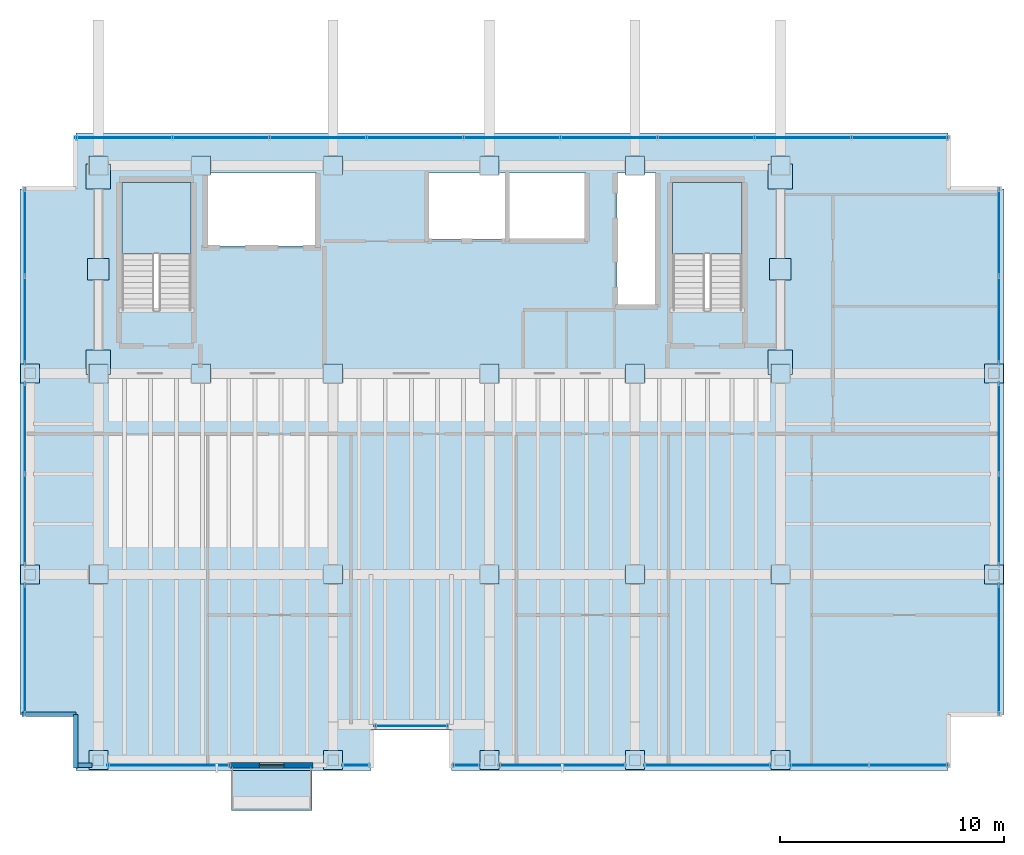
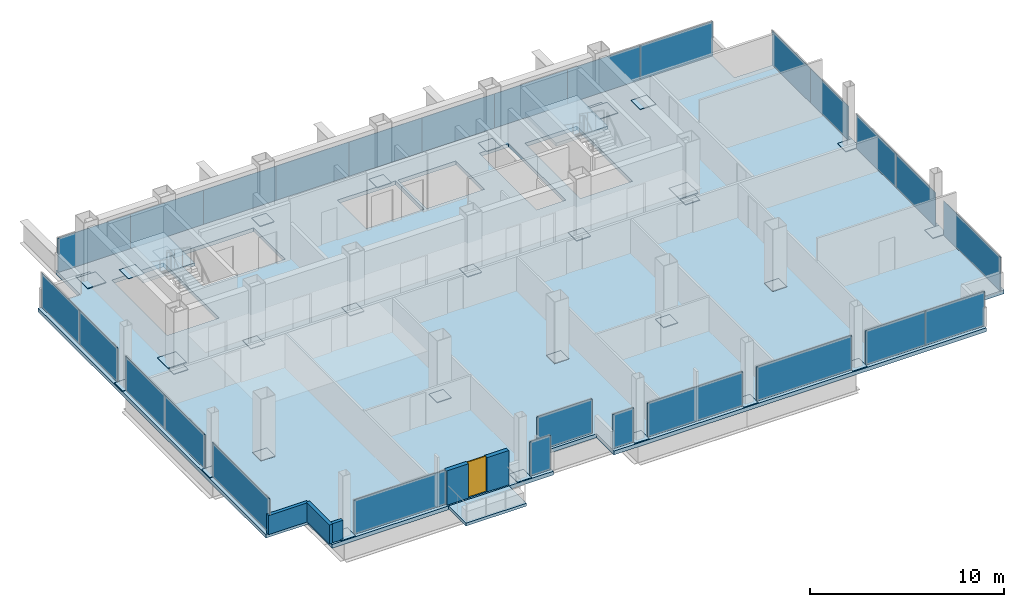
# One storey, part 14 of 17: 59 plates, 4 slabs, 4 walls, 1 door, 7 openings, 16 elements without a shape of their own.
"""IFC4 building model written with IfcOpenShell, lengths in metres."""

from ifc_helpers import new_model, si_unit, direction, frame, frame_2d, origin, origin_2d, place, context, subcontext, project, spatial, polyline, rectangle, outline, extrude, material, layer, layer_set, type_object, element, fill, aggregate, save


model = new_model("IFC4")

# Units and contexts
model_context = context("Model", 3, precision=1e-05, world=origin(), true_north=direction((0.0, 1.0)))
body_context = subcontext(model_context, "Body", "Model", "MODEL_VIEW")
ifc_project = project(units=[si_unit("LENGTHUNIT", "METRE"), si_unit("AREAUNIT", "SQUARE_METRE"), si_unit("VOLUMEUNIT", "CUBIC_METRE"), si_unit("PLANEANGLEUNIT", "RADIAN"), si_unit("MASSUNIT", "GRAM", prefix="KILO")], contexts=[model_context])

# Site, building, storey
site_placement = place(None, origin())
site = spatial("IfcSite", under=ifc_project, at=site_placement, CompositionType="ELEMENT")
building_placement = place(site_placement, origin())
building = spatial("IfcBuilding", under=site, at=building_placement, Name="Noeulbin Bourse Tower", CompositionType="ELEMENT")
storey_placement = place(building_placement, frame((0.0, 0.0, 196.800048828125)))
storey = spatial("IfcBuildingStorey", under=building, at=storey_placement, Name="L49", CompositionType="ELEMENT", Elevation=196.800048828125)

# Curtain wall, plate
ifc_material_1 = material(Name="Dark Tinted Triple Glazing", Category="glass")
curtain_wall_type = type_object("IfcCurtainWallType", Name="CW-SYS-3", PredefinedType="NOTDEFINED", material=ifc_material_1)
curtain_wall_1_placement = place(storey_placement, origin())
curtain_wall_1 = element("IfcCurtainWall", 1, at=curtain_wall_1_placement, inside=storey, type_object=curtain_wall_type, Name="Unitised Curtain Wall CW-L49-SREC", PredefinedType="NOTDEFINED")
ifc_layer_1 = layer(ifc_material_1, 0.035888671875)
ifc_layer_set_1 = layer_set([ifc_layer_1], Name="Dark Tinted Triple Glazing")
plate_type_1 = type_object("IfcPlateType", Name="CW-SYS-3-PNL", PredefinedType="CURTAIN_PANEL", material=ifc_layer_set_1)
plate_1_placement = place(storey_placement, frame((27.5, 13.22998046875, 0.0), z_axis=(0.0, 0.0, 1.0), x_axis=(1.0, 0.0, 0.0)))
plate_1 = element("IfcPlate", 2, at=plate_1_placement, type_object=plate_type_1, Name="Glazed Curtain Panel CW-L49-SREC-P00", PredefinedType="CURTAIN_PANEL", context=body_context, shape_type="SweptSolid", body=[
    extrude(rectangle(XDim=3.300048828125, YDim=0.035888671875, at=origin_2d()), origin(), (0.0, 0.0, 1.0), 2.159912109375),
])
aggregate(curtain_wall_1, [plate_1])

curtain_wall_2_placement = place(storey_placement, origin())
curtain_wall_2 = element("IfcCurtainWall", 3, at=curtain_wall_2_placement, inside=storey, type_object=curtain_wall_type, Name="Unitised Curtain Wall CW-L49-S1", PredefinedType="NOTDEFINED")
plate_2_placement = place(storey_placement, frame((16.655029296875, 11.469970703125, 0.0), z_axis=(0.0, 0.0, 1.0), x_axis=(1.0, 0.0, 0.0)))
plate_2 = element("IfcPlate", 4, at=plate_2_placement, type_object=plate_type_1, Name="Glazed Curtain Panel CW-L49-S1-P00", PredefinedType="CURTAIN_PANEL", context=body_context, shape_type="SweptSolid", body=[
    extrude(rectangle(XDim=5.489990234375, YDim=0.035888671875, at=origin_2d()), origin(), (0.0, 0.0, 1.0), 2.159912109375),
])
aggregate(curtain_wall_2, [plate_2])

curtain_wall_3_placement = place(storey_placement, origin())
curtain_wall_3 = element("IfcCurtainWall", 5, at=curtain_wall_3_placement, inside=storey, type_object=curtain_wall_type, Name="Unitised Curtain Wall CW-L49-S2", PredefinedType="NOTDEFINED")
plate_3_placement = place(storey_placement, frame((25.030029296875, 11.469970703125, 0.0), z_axis=(0.0, 0.0, 1.0), x_axis=(1.0, 0.0, 0.0)))
plate_3 = element("IfcPlate", 6, at=plate_3_placement, type_object=plate_type_1, Name="Glazed Curtain Panel CW-L49-S2-P00", PredefinedType="CURTAIN_PANEL", context=body_context, shape_type="SweptSolid", body=[
    extrude(rectangle(XDim=1.239990234375, YDim=0.035888671875, at=origin_2d()), origin(), (0.0, 0.0, 1.0), 2.159912109375),
])
aggregate(curtain_wall_3, [plate_3])

curtain_wall_4_placement = place(storey_placement, origin())
curtain_wall_4 = element("IfcCurtainWall", 7, at=curtain_wall_4_placement, inside=storey, type_object=curtain_wall_type, Name="Unitised Curtain Wall CW-L49-S3-S1", PredefinedType="NOTDEFINED")
plate_4_placement = place(storey_placement, frame((29.969970703125, 11.469970703125, 0.0), z_axis=(0.0, 0.0, 1.0), x_axis=(1.0, 0.0, 0.0)))
plate_4 = element("IfcPlate", 8, at=plate_4_placement, type_object=plate_type_1, Name="Glazed Curtain Panel CW-L49-S3-S1-P00", PredefinedType="CURTAIN_PANEL", context=body_context, shape_type="SweptSolid", body=[
    extrude(rectangle(XDim=1.239990234375, YDim=0.035888671875, at=origin_2d()), origin(), (0.0, 0.0, 1.0), 2.159912109375),
])
aggregate(curtain_wall_4, [plate_4])

curtain_wall_5_placement = place(storey_placement, origin())
curtain_wall_5 = element("IfcCurtainWall", 9, at=curtain_wall_5_placement, inside=storey, type_object=curtain_wall_type, Name="Unitised Curtain Wall CW-L49-S3-S2", PredefinedType="NOTDEFINED")
plate_5_placement = place(storey_placement, frame((34.25, 11.469970703125, 0.0), z_axis=(0.0, 0.0, 1.0), x_axis=(1.0, 0.0, 0.0)))
plate_5 = element("IfcPlate", 10, at=plate_5_placement, type_object=plate_type_1, Name="Glazed Curtain Panel CW-L49-S3-S2-P00", PredefinedType="CURTAIN_PANEL", context=body_context, shape_type="SweptSolid", body=[
    extrude(rectangle(XDim=5.679931640625, YDim=0.035888671875, at=origin_2d()), origin(), (0.0, 0.0, 1.0), 2.159912109375),
])
aggregate(curtain_wall_5, [plate_5])

curtain_wall_6_placement = place(storey_placement, origin())
curtain_wall_6 = element("IfcCurtainWall", 11, at=curtain_wall_6_placement, inside=storey, type_object=curtain_wall_type, Name="Unitised Curtain Wall CW-L49-S3-S3", PredefinedType="NOTDEFINED")
plate_6_placement = place(storey_placement, frame((40.75, 11.469970703125, 0.0), z_axis=(0.0, 0.0, 1.0), x_axis=(1.0, 0.0, 0.0)))
plate_6 = element("IfcPlate", 12, at=plate_6_placement, type_object=plate_type_1, Name="Glazed Curtain Panel CW-L49-S3-S3-P00", PredefinedType="CURTAIN_PANEL", context=body_context, shape_type="SweptSolid", body=[
    extrude(rectangle(XDim=5.679931640625, YDim=0.035888671875, at=origin_2d()), origin(), (0.0, 0.0, 1.0), 2.159912109375),
])
aggregate(curtain_wall_6, [plate_6])

# Curtain wall, plates
curtain_wall_7_placement = place(storey_placement, origin())
curtain_wall_7 = element("IfcCurtainWall", 13, at=curtain_wall_7_placement, inside=storey, type_object=curtain_wall_type, Name="Unitised Curtain Wall CW-L49-S3-S4", PredefinedType="NOTDEFINED")
plate_7_placement = place(storey_placement, frame((46.1875, 11.469970703125, 0.0), z_axis=(0.0, 0.0, 1.0), x_axis=(1.0, 0.0, 0.0)))
plate_7 = element("IfcPlate", 14, at=plate_7_placement, type_object=plate_type_1, Name="Glazed Curtain Panel CW-L49-S3-S4-P00", PredefinedType="CURTAIN_PANEL", context=body_context, shape_type="SweptSolid", body=[
    extrude(rectangle(XDim=3.554931640625, YDim=0.035888671875, at=origin_2d()), origin(), (0.0, 0.0, 1.0), 2.159912109375),
])
plate_8_placement = place(storey_placement, frame((49.742431640625, 11.469970703125, 0.0), z_axis=(0.0, 0.0, 1.0), x_axis=(1.0, 0.0, 0.0)))
plate_8 = element("IfcPlate", 15, at=plate_8_placement, type_object=plate_type_1, Name="Glazed Curtain Panel CW-L49-S3-S4-P01", PredefinedType="CURTAIN_PANEL", context=body_context, shape_type="SweptSolid", body=[
    extrude(rectangle(XDim=3.554931640625, YDim=0.035888671875, at=origin_2d()), origin(), (0.0, 0.0, 1.0), 2.159912109375),
])
aggregate(curtain_wall_7, [plate_7, plate_8])

curtain_wall_8_placement = place(storey_placement, origin())
curtain_wall_8 = element("IfcCurtainWall", 16, at=curtain_wall_8_placement, inside=storey, type_object=curtain_wall_type, Name="Unitised Curtain Wall CW-L49-N", PredefinedType="NOTDEFINED")
plate_9_placement = place(storey_placement, frame((14.64892578125, 39.530029296875, 0.0), z_axis=(0.0, 0.0, 1.0), x_axis=(1.0, 0.0, 0.0)))
plate_9 = element("IfcPlate", 17, at=plate_9_placement, type_object=plate_type_1, Name="Glazed Curtain Panel CW-L49-N-P00", PredefinedType="CURTAIN_PANEL", context=body_context, shape_type="SweptSolid", body=[
    extrude(rectangle(XDim=4.337890625, YDim=0.035888671875, at=origin_2d()), origin(), (0.0, 0.0, 1.0), 2.159912109375),
])
plate_10_placement = place(storey_placement, frame((18.98681640625, 39.530029296875, 0.0), z_axis=(0.0, 0.0, 1.0), x_axis=(1.0, 0.0, 0.0)))
plate_10 = element("IfcPlate", 18, at=plate_10_placement, type_object=plate_type_1, Name="Glazed Curtain Panel CW-L49-N-P01", PredefinedType="CURTAIN_PANEL", context=body_context, shape_type="SweptSolid", body=[
    extrude(rectangle(XDim=4.337890625, YDim=0.035888671875, at=origin_2d()), origin(), (0.0, 0.0, 1.0), 2.159912109375),
])
plate_11_placement = place(storey_placement, frame((23.324462890625, 39.530029296875, 0.0), z_axis=(0.0, 0.0, 1.0), x_axis=(1.0, 0.0, 0.0)))
plate_11 = element("IfcPlate", 19, at=plate_11_placement, type_object=plate_type_1, Name="Glazed Curtain Panel CW-L49-N-P02", PredefinedType="CURTAIN_PANEL", context=body_context, shape_type="SweptSolid", body=[
    extrude(rectangle(XDim=4.337890625, YDim=0.035888671875, at=origin_2d()), origin(), (0.0, 0.0, 1.0), 2.159912109375),
])
plate_12_placement = place(storey_placement, frame((27.662109375, 39.530029296875, 0.0), z_axis=(0.0, 0.0, 1.0), x_axis=(1.0, 0.0, 0.0)))
plate_12 = element("IfcPlate", 20, at=plate_12_placement, type_object=plate_type_1, Name="Glazed Curtain Panel CW-L49-N-P03", PredefinedType="CURTAIN_PANEL", context=body_context, shape_type="SweptSolid", body=[
    extrude(rectangle(XDim=4.337890625, YDim=0.035888671875, at=origin_2d()), origin(), (0.0, 0.0, 1.0), 2.159912109375),
])
plate_13_placement = place(storey_placement, frame((32.0, 39.530029296875, 0.0), z_axis=(0.0, 0.0, 1.0), x_axis=(1.0, 0.0, 0.0)))
plate_13 = element("IfcPlate", 21, at=plate_13_placement, type_object=plate_type_1, Name="Glazed Curtain Panel CW-L49-N-P04", PredefinedType="CURTAIN_PANEL", context=body_context, shape_type="SweptSolid", body=[
    extrude(rectangle(XDim=4.337890625, YDim=0.035888671875, at=origin_2d()), origin(), (0.0, 0.0, 1.0), 2.159912109375),
])
plate_14_placement = place(storey_placement, frame((36.337890625, 39.530029296875, 0.0), z_axis=(0.0, 0.0, 1.0), x_axis=(1.0, 0.0, 0.0)))
plate_14 = element("IfcPlate", 22, at=plate_14_placement, type_object=plate_type_1, Name="Glazed Curtain Panel CW-L49-N-P05", PredefinedType="CURTAIN_PANEL", context=body_context, shape_type="SweptSolid", body=[
    extrude(rectangle(XDim=4.337890625, YDim=0.035888671875, at=origin_2d()), origin(), (0.0, 0.0, 1.0), 2.159912109375),
])
plate_15_placement = place(storey_placement, frame((40.675537109375, 39.530029296875, 0.0), z_axis=(0.0, 0.0, 1.0), x_axis=(1.0, 0.0, 0.0)))
plate_15 = element("IfcPlate", 23, at=plate_15_placement, type_object=plate_type_1, Name="Glazed Curtain Panel CW-L49-N-P06", PredefinedType="CURTAIN_PANEL", context=body_context, shape_type="SweptSolid", body=[
    extrude(rectangle(XDim=4.337890625, YDim=0.035888671875, at=origin_2d()), origin(), (0.0, 0.0, 1.0), 2.159912109375),
])
plate_16_placement = place(storey_placement, frame((45.01318359375, 39.530029296875, 0.0), z_axis=(0.0, 0.0, 1.0), x_axis=(1.0, 0.0, 0.0)))
plate_16 = element("IfcPlate", 24, at=plate_16_placement, type_object=plate_type_1, Name="Glazed Curtain Panel CW-L49-N-P07", PredefinedType="CURTAIN_PANEL", context=body_context, shape_type="SweptSolid", body=[
    extrude(rectangle(XDim=4.337890625, YDim=0.035888671875, at=origin_2d()), origin(), (0.0, 0.0, 1.0), 2.159912109375),
])
plate_17_placement = place(storey_placement, frame((49.35107421875, 39.530029296875, 0.0), z_axis=(0.0, 0.0, 1.0), x_axis=(1.0, 0.0, 0.0)))
plate_17 = element("IfcPlate", 25, at=plate_17_placement, type_object=plate_type_1, Name="Glazed Curtain Panel CW-L49-N-P08", PredefinedType="CURTAIN_PANEL", context=body_context, shape_type="SweptSolid", body=[
    extrude(rectangle(XDim=4.337890625, YDim=0.035888671875, at=origin_2d()), origin(), (0.0, 0.0, 1.0), 2.159912109375),
])
aggregate(curtain_wall_8, [plate_9, plate_10, plate_11, plate_12, plate_13, plate_14, plate_15, plate_16, plate_17])

# Curtain wall, plate
curtain_wall_9_placement = place(storey_placement, origin())
curtain_wall_9 = element("IfcCurtainWall", 26, at=curtain_wall_9_placement, inside=storey, type_object=curtain_wall_type, Name="Unitised Curtain Wall CW-L49-W-S1", PredefinedType="NOTDEFINED")
plate_18_placement = place(storey_placement, frame((10.219970703125, 16.659912109375, 0.0), z_axis=(0.0, 0.0, 1.0), x_axis=(0.0, 1.0, 0.0)))
plate_18 = element("IfcPlate", 27, at=plate_18_placement, type_object=plate_type_1, Name="Glazed Curtain Panel CW-L49-W-S1-P00", PredefinedType="CURTAIN_PANEL", context=body_context, shape_type="SweptSolid", body=[
    extrude(rectangle(XDim=5.860107421875, YDim=0.035888671875, at=origin_2d()), origin(), (0.0, 0.0, 1.0), 2.159912109375),
])
aggregate(curtain_wall_9, [plate_18])

# Curtain wall, plates
curtain_wall_10_placement = place(storey_placement, origin())
curtain_wall_10 = element("IfcCurtainWall", 28, at=curtain_wall_10_placement, inside=storey, type_object=curtain_wall_type, Name="Unitised Curtain Wall CW-L49-W-S2", PredefinedType="NOTDEFINED")
plate_19_placement = place(storey_placement, frame((10.219970703125, 22.455078125, 0.0), z_axis=(0.0, 0.0, 1.0), x_axis=(0.0, 1.0, 0.0)))
plate_19 = element("IfcPlate", 29, at=plate_19_placement, type_object=plate_type_1, Name="Glazed Curtain Panel CW-L49-W-S2-P00", PredefinedType="CURTAIN_PANEL", context=body_context, shape_type="SweptSolid", body=[
    extrude(rectangle(XDim=4.090087890625, YDim=0.035888671875, at=origin_2d()), origin(), (0.0, 0.0, 1.0), 2.159912109375),
])
plate_20_placement = place(storey_placement, frame((10.219970703125, 26.544921875, 0.0), z_axis=(0.0, 0.0, 1.0), x_axis=(0.0, 1.0, 0.0)))
plate_20 = element("IfcPlate", 30, at=plate_20_placement, type_object=plate_type_1, Name="Glazed Curtain Panel CW-L49-W-S2-P01", PredefinedType="CURTAIN_PANEL", context=body_context, shape_type="SweptSolid", body=[
    extrude(rectangle(XDim=4.090087890625, YDim=0.035888671875, at=origin_2d()), origin(), (0.0, 0.0, 1.0), 2.159912109375),
])
aggregate(curtain_wall_10, [plate_19, plate_20])

curtain_wall_11_placement = place(storey_placement, origin())
curtain_wall_11 = element("IfcCurtainWall", 31, at=curtain_wall_11_placement, inside=storey, type_object=curtain_wall_type, Name="Unitised Curtain Wall CW-L49-W-S3", PredefinedType="NOTDEFINED")
plate_21_placement = place(storey_placement, frame((10.219970703125, 31.375, 0.0), z_axis=(0.0, 0.0, 1.0), x_axis=(0.0, 1.0, 0.0)))
plate_21 = element("IfcPlate", 32, at=plate_21_placement, type_object=plate_type_1, Name="Glazed Curtain Panel CW-L49-W-S3-P00", PredefinedType="CURTAIN_PANEL", context=body_context, shape_type="SweptSolid", body=[
    extrude(rectangle(XDim=3.929931640625, YDim=0.035888671875, at=origin_2d()), origin(), (0.0, 0.0, 1.0), 2.159912109375),
])
plate_22_placement = place(storey_placement, frame((10.219970703125, 35.304931640625, 0.0), z_axis=(0.0, 0.0, 1.0), x_axis=(0.0, 1.0, 0.0)))
plate_22 = element("IfcPlate", 33, at=plate_22_placement, type_object=plate_type_1, Name="Glazed Curtain Panel CW-L49-W-S3-P01", PredefinedType="CURTAIN_PANEL", context=body_context, shape_type="SweptSolid", body=[
    extrude(rectangle(XDim=3.929931640625, YDim=0.035888671875, at=origin_2d()), origin(), (0.0, 0.0, 1.0), 2.159912109375),
])
aggregate(curtain_wall_11, [plate_21, plate_22])

# Curtain wall, plate
curtain_wall_12_placement = place(storey_placement, origin())
curtain_wall_12 = element("IfcCurtainWall", 34, at=curtain_wall_12_placement, inside=storey, type_object=curtain_wall_type, Name="Unitised Curtain Wall CW-L49-E-S1", PredefinedType="NOTDEFINED")
plate_23_placement = place(storey_placement, frame((53.780029296875, 16.659912109375, 0.0), z_axis=(0.0, 0.0, 1.0), x_axis=(0.0, 1.0, 0.0)))
plate_23 = element("IfcPlate", 35, at=plate_23_placement, type_object=plate_type_1, Name="Glazed Curtain Panel CW-L49-E-S1-P00", PredefinedType="CURTAIN_PANEL", context=body_context, shape_type="SweptSolid", body=[
    extrude(rectangle(XDim=5.860107421875, YDim=0.035888671875, at=origin_2d()), origin(), (0.0, 0.0, 1.0), 2.159912109375),
])
aggregate(curtain_wall_12, [plate_23])

# Curtain wall, plates
curtain_wall_13_placement = place(storey_placement, origin())
curtain_wall_13 = element("IfcCurtainWall", 36, at=curtain_wall_13_placement, inside=storey, type_object=curtain_wall_type, Name="Unitised Curtain Wall CW-L49-E-S2", PredefinedType="NOTDEFINED")
plate_24_placement = place(storey_placement, frame((53.780029296875, 22.455078125, 0.0), z_axis=(0.0, 0.0, 1.0), x_axis=(0.0, 1.0, 0.0)))
plate_24 = element("IfcPlate", 37, at=plate_24_placement, type_object=plate_type_1, Name="Glazed Curtain Panel CW-L49-E-S2-P00", PredefinedType="CURTAIN_PANEL", context=body_context, shape_type="SweptSolid", body=[
    extrude(rectangle(XDim=4.090087890625, YDim=0.035888671875, at=origin_2d()), origin(), (0.0, 0.0, 1.0), 2.159912109375),
])
plate_25_placement = place(storey_placement, frame((53.780029296875, 26.544921875, 0.0), z_axis=(0.0, 0.0, 1.0), x_axis=(0.0, 1.0, 0.0)))
plate_25 = element("IfcPlate", 38, at=plate_25_placement, type_object=plate_type_1, Name="Glazed Curtain Panel CW-L49-E-S2-P01", PredefinedType="CURTAIN_PANEL", context=body_context, shape_type="SweptSolid", body=[
    extrude(rectangle(XDim=4.090087890625, YDim=0.035888671875, at=origin_2d()), origin(), (0.0, 0.0, 1.0), 2.159912109375),
])
aggregate(curtain_wall_13, [plate_24, plate_25])

curtain_wall_14_placement = place(storey_placement, origin())
curtain_wall_14 = element("IfcCurtainWall", 39, at=curtain_wall_14_placement, inside=storey, type_object=curtain_wall_type, Name="Unitised Curtain Wall CW-L49-E-S3", PredefinedType="NOTDEFINED")
plate_26_placement = place(storey_placement, frame((53.780029296875, 31.375, 0.0), z_axis=(0.0, 0.0, 1.0), x_axis=(0.0, 1.0, 0.0)))
plate_26 = element("IfcPlate", 40, at=plate_26_placement, type_object=plate_type_1, Name="Glazed Curtain Panel CW-L49-E-S3-P00", PredefinedType="CURTAIN_PANEL", context=body_context, shape_type="SweptSolid", body=[
    extrude(rectangle(XDim=3.929931640625, YDim=0.035888671875, at=origin_2d()), origin(), (0.0, 0.0, 1.0), 2.159912109375),
])
plate_27_placement = place(storey_placement, frame((53.780029296875, 35.304931640625, 0.0), z_axis=(0.0, 0.0, 1.0), x_axis=(0.0, 1.0, 0.0)))
plate_27 = element("IfcPlate", 41, at=plate_27_placement, type_object=plate_type_1, Name="Glazed Curtain Panel CW-L49-E-S3-P01", PredefinedType="CURTAIN_PANEL", context=body_context, shape_type="SweptSolid", body=[
    extrude(rectangle(XDim=3.929931640625, YDim=0.035888671875, at=origin_2d()), origin(), (0.0, 0.0, 1.0), 2.159912109375),
])
aggregate(curtain_wall_14, [plate_26, plate_27])

# Plates
ifc_material_2 = material(Name="Steel S355", Category="steel")
ifc_layer_2 = layer(ifc_material_2, 0.030029296875)
ifc_layer_set_2 = layer_set([ifc_layer_2], Name="Steel S355")
plate_type_2 = type_object("IfcPlateType", Name="PLT-BN1", PredefinedType="USERDEFINED", material=ifc_layer_set_2)
for number, where, z_axis, x_axis, name in (
    (42, (13.5, 29.0, 0.0048828125), (0.0, 0.0, 1.0), (1.0, 0.0, 0.0), "Mega-Column Splice Plate BN1-L49-01"),
    (43, (13.5, 38.300048828125, 0.0048828125), (0.0, 0.0, 1.0), (1.0, 0.0, 0.0), "Mega-Column Splice Plate BN1-L49-02"),
    (44, (18.10009765625, 29.0, 0.0048828125), (0.0, 0.0, 1.0), (1.0, 0.0, 0.0), "Mega-Column Splice Plate BN1-L49-03"),
    (45, (18.10009765625, 38.300048828125, 0.0048828125), (0.0, 0.0, 1.0), (1.0, 0.0, 0.0), "Mega-Column Splice Plate BN1-L49-04"),
    (46, (24.0, 29.0, 0.0048828125), (0.0, 0.0, 1.0), (1.0, 0.0, 0.0), "Mega-Column Splice Plate BN1-L49-05"),
    (47, (24.0, 38.300048828125, 0.0048828125), (0.0, 0.0, 1.0), (1.0, 0.0, 0.0), "Mega-Column Splice Plate BN1-L49-06"),
    (48, (31.0, 29.0, 0.0048828125), (0.0, 0.0, 1.0), (1.0, 0.0, 0.0), "Mega-Column Splice Plate BN1-L49-07"),
    (49, (31.0, 38.300048828125, 0.0048828125), (0.0, 0.0, 1.0), (1.0, 0.0, 0.0), "Mega-Column Splice Plate BN1-L49-08"),
    (50, (37.5, 29.0, 0.0048828125), (0.0, 0.0, 1.0), (1.0, 0.0, 0.0), "Mega-Column Splice Plate BN1-L49-09"),
    (51, (37.5, 38.300048828125, 0.0048828125), (0.0, 0.0, 1.0), (1.0, 0.0, 0.0), "Mega-Column Splice Plate BN1-L49-10"),
    (52, (44.0, 29.0, 0.0048828125), (0.0, 0.0, 1.0), (1.0, 0.0, 0.0), "Mega-Column Splice Plate BN1-L49-11"),
    (53, (44.0, 38.300048828125, 0.0048828125), (0.0, 0.0, 1.0), (1.0, 0.0, 0.0), "Mega-Column Splice Plate BN1-L49-12"),
    (54, (13.5, 20.0, 0.0048828125), (0.0, 0.0, 1.0), (1.0, 0.0, 0.0), "Mega-Column Splice Plate BN1-L49-13"),
    (55, (24.0, 20.0, 0.0048828125), (0.0, 0.0, 1.0), (1.0, 0.0, 0.0), "Mega-Column Splice Plate BN1-L49-14"),
    (56, (31.0, 20.0, 0.0048828125), (0.0, 0.0, 1.0), (1.0, 0.0, 0.0), "Mega-Column Splice Plate BN1-L49-15"),
    (57, (37.5, 20.0, 0.0048828125), (0.0, 0.0, 1.0), (1.0, 0.0, 0.0), "Mega-Column Splice Plate BN1-L49-16"),
    (58, (44.0, 20.0, 0.0048828125), (0.0, 0.0, 1.0), (1.0, 0.0, 0.0), "Mega-Column Splice Plate BN1-L49-17"),
    (59, (10.449951171875, 20.0, 0.0048828125), (0.0, 0.0, 1.0), (1.0, 0.0, 0.0), "Perimeter Column Splice Plate BN1-L49-01"),
    (60, (10.449951171875, 29.0, 0.0048828125), (0.0, 0.0, 1.0), (1.0, 0.0, 0.0), "Perimeter Column Splice Plate BN1-L49-02"),
    (61, (13.5, 11.699951171875, 0.0048828125), (0.0, 0.0, 1.0), (1.0, 0.0, 0.0), "Perimeter Column Splice Plate BN1-L49-03"),
    (62, (24.0, 11.699951171875, 0.0048828125), (0.0, 0.0, 1.0), (1.0, 0.0, 0.0), "Perimeter Column Splice Plate BN1-L49-04"),
    (63, (31.0, 11.699951171875, 0.0048828125), (0.0, 0.0, 1.0), (1.0, 0.0, 0.0), "Perimeter Column Splice Plate BN1-L49-05"),
    (64, (37.5, 11.699951171875, 0.0048828125), (0.0, 0.0, 1.0), (1.0, 0.0, 0.0), "Perimeter Column Splice Plate BN1-L49-06"),
    (65, (44.0, 11.699951171875, 0.0048828125), (0.0, 0.0, 1.0), (1.0, 0.0, 0.0), "Perimeter Column Splice Plate BN1-L49-07"),
    (66, (53.550048828125, 20.0, 0.0048828125), (0.0, 0.0, 1.0), (1.0, 0.0, 0.0), "Perimeter Column Splice Plate BN1-L49-08"),
    (67, (53.550048828125, 29.0, 0.0048828125), (0.0, 0.0, 1.0), (1.0, 0.0, 0.0), "Perimeter Column Splice Plate BN1-L49-09"),
):
    element("IfcPlate", number, at=place(storey_placement, frame(where, z_axis=z_axis, x_axis=x_axis)), inside=storey, type_object=plate_type_2, Name=name, ObjectType="SPLICE PLATE", PredefinedType="USERDEFINED", context=body_context, shape_type="SweptSolid", body=[
        extrude(rectangle(XDim=0.85009765625, YDim=0.85009765625, at=origin_2d()), origin(), (0.0, 0.0, 1.0), 0.030029296875),
    ])
ifc_material_3 = material(Name="Steel S460", Category="steel")
ifc_layer_3 = layer(ifc_material_3, 0.035888671875)
ifc_layer_set_3 = layer_set([ifc_layer_3], Name="Steel S460")
plate_type_3 = type_object("IfcPlateType", Name="PLT-KN2", PredefinedType="USERDEFINED", material=ifc_layer_set_3)
for number, where, z_axis, x_axis, name in (
    (68, (13.5, 29.5, 0.18212890625), (0.0, 0.0, 1.0), (1.0, 0.0, 0.0), "Core Flank Brace South Gusset Plate KN2-L49-WA"),
    (69, (13.5, 37.800048828125, 0.18212890625), (0.0, 0.0, 1.0), (1.0, 0.0, 0.0), "Core Flank Brace North Gusset Plate KN2-L49-WB"),
    (70, (44.0, 29.5, 0.18212890625), (0.0, 0.0, 1.0), (1.0, 0.0, 0.0), "Core Flank Brace South Gusset Plate KN2-L49-EA"),
    (71, (44.0, 37.800048828125, 0.18212890625), (0.0, 0.0, 1.0), (1.0, 0.0, 0.0), "Core Flank Brace North Gusset Plate KN2-L49-EB"),
):
    element("IfcPlate", number, at=place(storey_placement, frame(where, z_axis=z_axis, x_axis=x_axis)), inside=storey, type_object=plate_type_3, Name=name, ObjectType="GUSSET PLATE", PredefinedType="USERDEFINED", context=body_context, shape_type="SweptSolid", body=[
        extrude(rectangle(XDim=1.10009765625, YDim=1.10009765625, at=origin_2d()), origin(), (0.0, 0.0, 1.0), 0.035888671875),
    ])
ifc_layer_4 = layer(ifc_material_2, 0.031982421875)
ifc_layer_set_4 = layer_set([ifc_layer_4], Name="Steel S355")
plate_type_4 = type_object("IfcPlateType", Name="PLT-KN3", PredefinedType="USERDEFINED", material=ifc_layer_set_4)
for number, where, z_axis, x_axis, name in (
    (72, (13.5, 33.64990234375, 3.23388671875), (0.0, 0.0, 1.0), (1.0, 0.0, 0.0), "Core Flank Brace Apex End Plate KN3-L49-W"),
    (73, (44.0, 33.64990234375, 3.23388671875), (0.0, 0.0, 1.0), (1.0, 0.0, 0.0), "Core Flank Brace Apex End Plate KN3-L49-E"),
):
    element("IfcPlate", number, at=place(storey_placement, frame(where, z_axis=z_axis, x_axis=x_axis)), inside=storey, type_object=plate_type_4, Name=name, ObjectType="END PLATE", PredefinedType="USERDEFINED", context=body_context, shape_type="SweptSolid", body=[
        extrude(rectangle(XDim=0.949951171875, YDim=0.949951171875, at=origin_2d()), origin(), (0.0, 0.0, 1.0), 0.031982421875),
    ])

# Stair, slab
ifc_material_4 = material(Name="Concrete C40/50", Category="concrete")
stair_type = type_object("IfcStairType", Name="STR-CORE-1560", PredefinedType="HALF_TURN_STAIR", material=ifc_material_4)
stair_1_placement = place(storey_placement, origin())
stair_1 = element("IfcStair", 74, at=stair_1_placement, inside=storey, type_object=stair_type, Name="L49 ST-1", PredefinedType="HALF_TURN_STAIR")
ifc_layer_5 = layer(ifc_material_4, 0.199951171875)
ifc_layer_set_5 = layer_set([ifc_layer_5], Name="Concrete C40/50")
slab_type_1 = type_object("IfcSlabType", Name="SLB-LND-200", PredefinedType="LANDING", material=ifc_layer_set_5)
slab_1_placement = place(storey_placement, frame((0.0, 0.0, 1.75)))
slab_1 = element("IfcSlab", 75, at=slab_1_placement, type_object=slab_type_1, Name="ST-1 landing 1", PredefinedType="LANDING", context=body_context, shape_type="SweptSolid", body=[
    extrude(outline(polyline([(17.64990234375, 34.330078125), (17.64990234375, 37.5439453125), (14.550048828125, 37.5439453125), (14.550048828125, 34.330078125), (17.64990234375, 34.330078125)])), origin(), (0.0, 0.0, 1.0), 0.199951171875),
])
aggregate(stair_1, [slab_1])

stair_2_placement = place(storey_placement, origin())
stair_2 = element("IfcStair", 76, at=stair_2_placement, inside=storey, type_object=stair_type, Name="L49 ST-2", PredefinedType="HALF_TURN_STAIR")
slab_2_placement = place(storey_placement, frame((0.0, 0.0, 1.75)))
slab_2 = element("IfcSlab", 77, at=slab_2_placement, type_object=slab_type_1, Name="ST-2 landing 1", PredefinedType="LANDING", context=body_context, shape_type="SweptSolid", body=[
    extrude(outline(polyline([(42.280029296875, 34.330078125), (42.280029296875, 37.5439453125), (39.179931640625, 37.5439453125), (39.179931640625, 34.330078125), (42.280029296875, 34.330078125)])), origin(), (0.0, 0.0, 1.0), 0.199951171875),
])
aggregate(stair_2, [slab_2])

# Slab, openings
ifc_layer_6 = layer(ifc_material_4, 0.239990234375)
ifc_layer_set_6 = layer_set([ifc_layer_6], Name="Concrete C40/50")
slab_type_2 = type_object("IfcSlabType", Name="SLB-TRF-240", PredefinedType="FLOOR", material=ifc_layer_set_6)
slab_3_placement = place(storey_placement, frame((0.0, 0.0, -0.239990234375)))
slab_3 = element("IfcSlab", 78, at=slab_3_placement, inside=storey, type_object=slab_type_2, Name="Tower Structural Floor Slab L49", PredefinedType="FLOOR", context=body_context, shape_type="SweptSolid", body=[
    extrude(outline(polyline([(12.5, 11.25), (25.699951171875, 11.25), (25.699951171875, 13.050048828125), (29.300048828125, 13.050048828125), (29.300048828125, 11.25), (51.5, 11.25), (51.5, 13.75), (54.0, 13.75), (54.0, 37.25), (51.5, 37.25), (51.5, 39.75), (12.5, 39.75), (12.5, 37.25), (10.0, 37.25), (10.0, 13.75), (12.5, 13.75), (12.5, 11.25)]), holes=[polyline([(17.64990234375, 31.81005859375), (17.64990234375, 37.5439453125), (14.550048828125, 37.5439453125), (14.550048828125, 31.81005859375), (17.64990234375, 31.81005859375)]), polyline([(42.280029296875, 31.81005859375), (42.280029296875, 37.5439453125), (39.179931640625, 37.5439453125), (39.179931640625, 31.81005859375), (42.280029296875, 31.81005859375)]), polyline([(18.35009765625, 34.699951171875), (23.25, 34.699951171875), (23.25, 37.949951171875), (18.35009765625, 37.949951171875), (18.35009765625, 34.699951171875)]), polyline([(36.699951171875, 32.050048828125), (38.449951171875, 32.050048828125), (38.449951171875, 37.949951171875), (36.699951171875, 37.949951171875), (36.699951171875, 32.050048828125)]), polyline([(28.25, 35.0), (31.699951171875, 35.0), (31.699951171875, 37.949951171875), (28.25, 37.949951171875), (28.25, 35.0)]), polyline([(31.85009765625, 35.0), (35.300048828125, 35.0), (35.300048828125, 37.949951171875), (31.85009765625, 37.949951171875), (31.85009765625, 35.0)])]), origin(), (0.0, 0.0, 1.0), 0.239990234375),
])
opening_1_placement = place(slab_3_placement, frame((0.0, 0.0, -0.010009765625)))
element("IfcOpeningElement", 79, at=opening_1_placement, cuts=slab_3, Name="Slab Shaft Opening SLB-L49-TWR-1", PredefinedType="OPENING", context=body_context, shape_type="SweptSolid", body=[
    extrude(outline(polyline([(17.64990234375, 31.81005859375), (17.64990234375, 37.5439453125), (14.550048828125, 37.5439453125), (14.550048828125, 31.81005859375), (17.64990234375, 31.81005859375)])), origin(), (0.0, 0.0, 1.0), 0.260009765625),
])
opening_2_placement = place(slab_3_placement, frame((0.0, 0.0, -0.010009765625)))
element("IfcOpeningElement", 80, at=opening_2_placement, cuts=slab_3, Name="Slab Shaft Opening SLB-L49-TWR-2", PredefinedType="OPENING", context=body_context, shape_type="SweptSolid", body=[
    extrude(outline(polyline([(42.280029296875, 31.81005859375), (42.280029296875, 37.5439453125), (39.179931640625, 37.5439453125), (39.179931640625, 31.81005859375), (42.280029296875, 31.81005859375)])), origin(), (0.0, 0.0, 1.0), 0.260009765625),
])
opening_3_placement = place(slab_3_placement, frame((0.0, 0.0, -0.010009765625)))
element("IfcOpeningElement", 81, at=opening_3_placement, cuts=slab_3, Name="Slab Shaft Opening SLB-L49-TWR-3", PredefinedType="OPENING", context=body_context, shape_type="SweptSolid", body=[
    extrude(outline(polyline([(18.35009765625, 34.699951171875), (23.25, 34.699951171875), (23.25, 37.949951171875), (18.35009765625, 37.949951171875), (18.35009765625, 34.699951171875)])), origin(), (0.0, 0.0, 1.0), 0.260009765625),
])
opening_4_placement = place(slab_3_placement, frame((0.0, 0.0, -0.010009765625)))
element("IfcOpeningElement", 82, at=opening_4_placement, cuts=slab_3, Name="Slab Shaft Opening SLB-L49-TWR-4", PredefinedType="OPENING", context=body_context, shape_type="SweptSolid", body=[
    extrude(outline(polyline([(36.699951171875, 32.050048828125), (38.449951171875, 32.050048828125), (38.449951171875, 37.949951171875), (36.699951171875, 37.949951171875), (36.699951171875, 32.050048828125)])), origin(), (0.0, 0.0, 1.0), 0.260009765625),
])
opening_5_placement = place(slab_3_placement, frame((0.0, 0.0, -0.010009765625)))
element("IfcOpeningElement", 83, at=opening_5_placement, cuts=slab_3, Name="Slab Shaft Opening SLB-L49-TWR-5", PredefinedType="OPENING", context=body_context, shape_type="SweptSolid", body=[
    extrude(outline(polyline([(28.25, 35.0), (31.699951171875, 35.0), (31.699951171875, 37.949951171875), (28.25, 37.949951171875), (28.25, 35.0)])), origin(), (0.0, 0.0, 1.0), 0.260009765625),
])
opening_6_placement = place(slab_3_placement, frame((0.0, 0.0, -0.010009765625)))
element("IfcOpeningElement", 84, at=opening_6_placement, cuts=slab_3, Name="Slab Shaft Opening SLB-L49-TWR-6", PredefinedType="OPENING", context=body_context, shape_type="SweptSolid", body=[
    extrude(outline(polyline([(31.85009765625, 35.0), (35.300048828125, 35.0), (35.300048828125, 37.949951171875), (31.85009765625, 37.949951171875), (31.85009765625, 35.0)])), origin(), (0.0, 0.0, 1.0), 0.260009765625),
])

# Slab
ifc_layer_7 = layer(ifc_material_4, 0.179931640625)
ifc_layer_set_7 = layer_set([ifc_layer_7], Name="Concrete C40/50")
slab_type_3 = type_object("IfcSlabType", Name="SLB-TYP-180", PredefinedType="FLOOR", material=ifc_layer_set_7)
slab_4_placement = place(storey_placement, frame((0.0, 0.0, -0.179931640625)))
element("IfcSlab", 85, at=slab_4_placement, inside=storey, type_object=slab_type_3, Name="Cantilevered Tree-Balcony Slab L49", PredefinedType="FLOOR", context=body_context, shape_type="SweptSolid", body=[
    extrude(outline(polyline([(19.449951171875, 9.449951171875), (23.050048828125, 9.449951171875), (23.050048828125, 11.25), (19.449951171875, 11.25), (19.449951171875, 9.449951171875)])), origin(), (0.0, 0.0, 1.0), 0.179931640625),
])

# Wall, opening, door
ifc_material_5 = material(Name="Precast Concrete C40/50", Category="concrete")
ifc_layer_8 = layer(ifc_material_5, 0.25)
ifc_layer_set_8 = layer_set([ifc_layer_8], Name="Precast Concrete C40/50")
wall_type_1 = type_object("IfcWallType", Name="WAL-EXT-250", PredefinedType="STANDARD", material=ifc_layer_set_8)
wall_1_placement = place(storey_placement, frame((19.39990234375, 11.469970703125, 0.0), z_axis=(0.0, 0.0, 1.0), x_axis=(1.0, 0.0, 0.0)))
wall_1 = element("IfcWall", 86, at=wall_1_placement, inside=storey, type_object=wall_type_1, Name="Balcony Threshold Wall L49", PredefinedType="STANDARD", context=body_context, shape_type="SweptSolid", body=[
    extrude(rectangle(XDim=3.7001953125, YDim=0.25, at=frame_2d((1.85009765625, 0.0))), origin(), (0.0, 0.0, 1.0), 2.159912109375),
])
opening_7_placement = place(wall_1_placement, frame((1.300048828125, 0.0, 0.0)))
opening_7 = element("IfcOpeningElement", 87, at=opening_7_placement, cuts=wall_1, Name="Opening BD-11", PredefinedType="OPENING", context=body_context, shape_type="SweptSolid", body=[
    extrude(rectangle(XDim=1.10009765625, YDim=2.199951171875, at=frame_2d((0.550048828125, 1.10009765625))), frame((0.0, 0.135009765625, 0.0), z_axis=(0.0, -1.0, 0.0), x_axis=(1.0, 0.0, 0.0)), (0.0, 0.0, 1.0), 0.27001953125),
])
ifc_material_6 = material(Name="Thermally Broken Aluminium Framed Glass", Category="aluminium")
door_type = type_object("IfcDoorType", Name="DR-BAL-1100", OperationType="SINGLE_SWING_LEFT", PredefinedType="DOOR", material=ifc_material_6)
door_placement = place(opening_7_placement, origin())
door = element("IfcDoor", 88, at=door_placement, inside=storey, type_object=door_type, Name="Tree-Balcony Access Door BD-L49", OperationType="SINGLE_SWING_LEFT", OverallHeight=2.199951171875, OverallWidth=1.10009765625, PredefinedType="DOOR", context=body_context, shape_type="SweptSolid", body=[
    extrude(rectangle(XDim=1.10009765625, YDim=2.199951171875, at=frame_2d((0.550048828125, 1.10009765625))), frame((0.0, 0.02490234375, 0.0), z_axis=(0.0, -1.0, 0.0), x_axis=(1.0, 0.0, 0.0)), (0.0, 0.0, 1.0), 0.050048828125),
])
fill(opening_7, door)

# Walls
ifc_layer_9 = layer(ifc_material_4, 0.199951171875)
ifc_layer_set_9 = layer_set([ifc_layer_9], Name="Concrete C40/50")
wall_type_2 = type_object("IfcWallType", Name="WAL-PAR-200", PredefinedType="PARAPET", material=ifc_layer_set_9)
wall_2_placement = place(storey_placement, frame((12.60009765625, 11.469970703125, 0.0), z_axis=(0.0, 0.0, 1.0), x_axis=(1.0, 0.0, 0.0)))
element("IfcWall", 89, at=wall_2_placement, inside=storey, type_object=wall_type_2, Name="Perimeter Pier Spandrel Parapet L49-S1", PredefinedType="PARAPET", context=body_context, shape_type="SweptSolid", body=[
    extrude(rectangle(XDim=0.6298828125, YDim=0.199951171875, at=frame_2d((0.31494140625, 0.0))), origin(), (0.0, 0.0, 1.0), 1.199951171875),
])
for number, where, z_axis, x_axis, name in (
    (90, (10.10009765625, 13.75, 0.0), (0.0, 0.0, 1.0), (1.0, 0.0, 0.0), "Corner Notch Parapet L49-SW1"),
    (91, (12.5, 13.75, 0.0), (0.0, 0.0, 1.0), (0.0, -1.0, 0.0), "Corner Notch Parapet L49-SW2"),
):
    element("IfcWall", number, at=place(storey_placement, frame(where, z_axis=z_axis, x_axis=x_axis)), inside=storey, type_object=wall_type_2, Name=name, PredefinedType="PARAPET", context=body_context, shape_type="SweptSolid", body=[
        extrude(rectangle(XDim=2.39990234375, YDim=0.199951171875, at=frame_2d((1.199951171875, 0.0))), origin(), (0.0, 0.0, 1.0), 1.199951171875),
    ])

save(model, "model.ifc")
